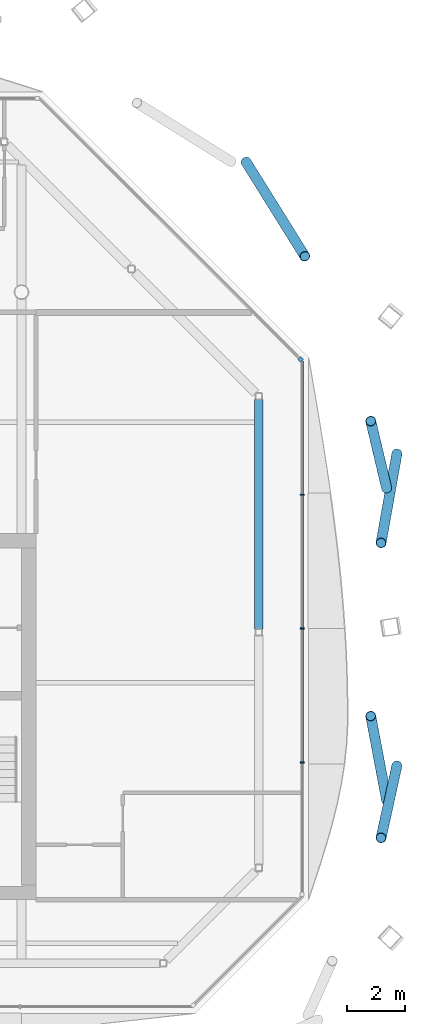
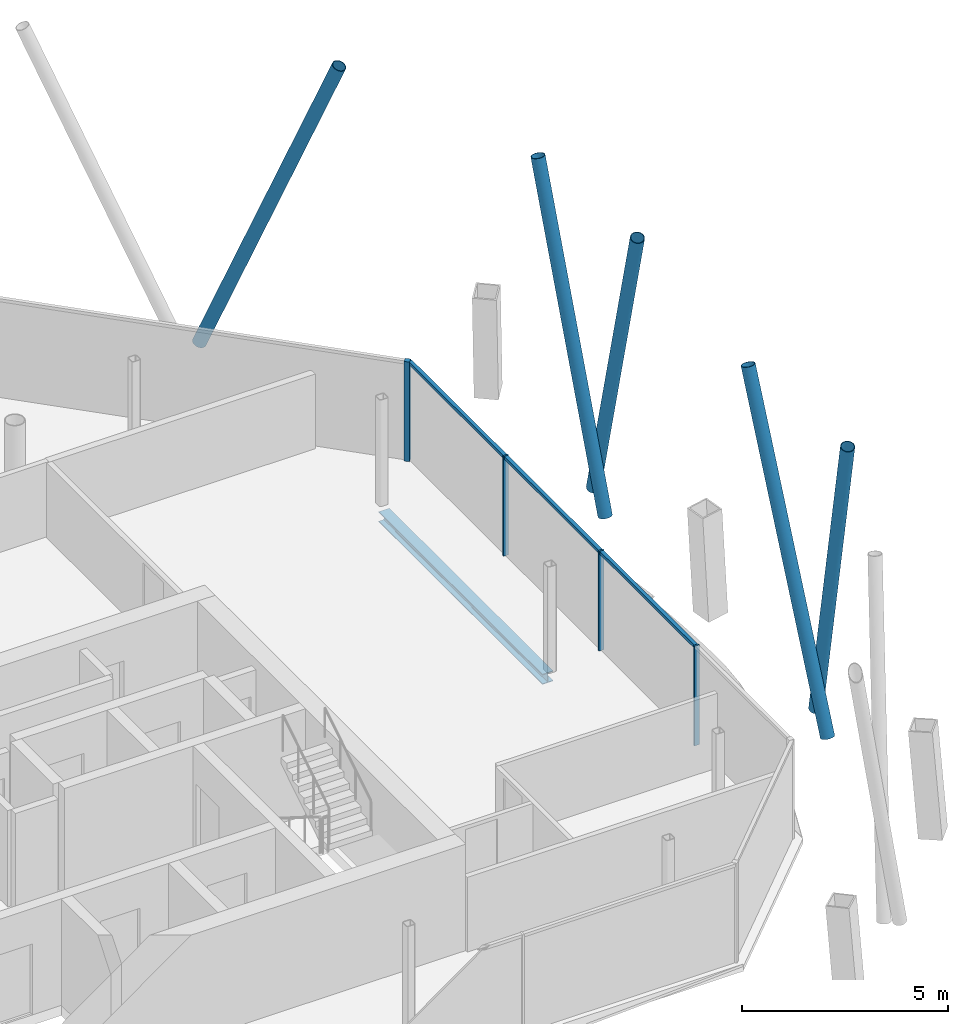
# One storey, part 7 of 13: 12 members, 1 beam, 2 elements without a shape of their own.
"""IFC4 building model written with IfcOpenShell, lengths in metres."""

from ifc_helpers import new_model, si_unit, direction, frame, origin, origin_2d, place, context, subcontext, project, spatial, rectangle, hollow_circle, i_section, extrude, material, material_profile, profile_set, type_object, element, aggregate, save


model = new_model("IFC4")

# Units and contexts
model_context = context("Model", 3, precision=1e-05, world=origin(), true_north=direction((0.0, 1.0)))
body_context = subcontext(model_context, "Body", "Model", "MODEL_VIEW")
ifc_project = project(units=[si_unit("LENGTHUNIT", "METRE"), si_unit("AREAUNIT", "SQUARE_METRE"), si_unit("VOLUMEUNIT", "CUBIC_METRE"), si_unit("PLANEANGLEUNIT", "RADIAN"), si_unit("MASSUNIT", "GRAM", prefix="KILO")], contexts=[model_context])

# Site, building, storey
site_placement = place(None, origin())
site = spatial("IfcSite", under=ifc_project, at=site_placement, CompositionType="ELEMENT")
building_placement = place(site_placement, origin())
building = spatial("IfcBuilding", under=site, at=building_placement, Name="Tskaro Facet Tower", CompositionType="ELEMENT")
storey_placement = place(building_placement, frame((0.0, 0.0, 278.39990234375)))
storey = spatial("IfcBuildingStorey", under=building, at=storey_placement, Name="L74", CompositionType="ELEMENT", Elevation=278.39990234375)

# Members
ifc_material_1 = material(Name="Steel S355J2H", Category="steel")
ifc_material_profile_1 = material_profile(ifc_material_1, hollow_circle(Radius=0.177734375, WallThickness=0.01611328125, at=origin_2d()), Name="CHS 355.6x16")
ifc_profile_set_1 = profile_set([ifc_material_profile_1], Name="Steel S355J2H")
member_type_1 = type_object("IfcMemberType", Name="CHS 355.6x16 brace", PredefinedType="BRACE", material=ifc_profile_set_1)
member_1_placement = place(storey_placement, frame((21.61962890625, -8.552490234375, 0.0), z_axis=(-0.055310331378, 0.29302392678, 0.954503926434), x_axis=(-0.982647721841, -0.185481683084, 0.0)))
element("IfcMember", 1, at=member_1_placement, inside=storey, type_object=member_type_1, Name="CHS 355.6x16 XB04A/6", PredefinedType="BRACE", context=body_context, shape_type="SweptSolid", body=[
    extrude(hollow_circle(Radius=0.177734375, WallThickness=0.01611328125, at=origin_2d()), origin(), (0.0, 0.0, 1.0), 9.900634765625),
])
member_2_placement = place(storey_placement, frame((21.975341796875, -7.373046875, 0.0), z_axis=(-0.055970626477, -0.254436880879, 0.965468364381), x_axis=(0.976648886415, -0.2148416921, 0.0)))
element("IfcMember", 2, at=member_2_placement, inside=storey, type_object=member_type_1, Name="CHS 355.6x16 XB04B/6", PredefinedType="BRACE", context=body_context, shape_type="SweptSolid", body=[
    extrude(hollow_circle(Radius=0.177734375, WallThickness=0.01611328125, at=origin_2d()), origin(), (0.0, 0.0, 1.0), 9.7880859375),
])
member_3_placement = place(storey_placement, frame((21.61962890625, 2.23095703125, 0.0), z_axis=(-0.056198361949, 0.237220727122, 0.96982888735), x_axis=(-0.97306694205, -0.23052272402, 0.0)))
element("IfcMember", 3, at=member_3_placement, inside=storey, type_object=member_type_1, Name="CHS 355.6x16 XB05A/6", PredefinedType="BRACE", context=body_context, shape_type="SweptSolid", body=[
    extrude(hollow_circle(Radius=0.177734375, WallThickness=0.01611328125, at=origin_2d()), origin(), (0.0, 0.0, 1.0), 9.744140625),
])
member_4_placement = place(storey_placement, frame((21.975341796875, 3.410888671875, 0.0), z_axis=(-0.055034832811, -0.309436045264, 0.949326340659), x_axis=(0.984549356223, -0.175107296137, 0.0)))
element("IfcMember", 4, at=member_4_placement, inside=storey, type_object=member_type_1, Name="CHS 355.6x16 XB05B/6", PredefinedType="BRACE", context=body_context, shape_type="SweptSolid", body=[
    extrude(hollow_circle(Radius=0.177734375, WallThickness=0.01611328125, at=origin_2d()), origin(), (0.0, 0.0, 1.0), 9.95458984375),
])
member_5_placement = place(storey_placement, frame((16.7626953125, 13.499267578125, 0.0), z_axis=(0.199239620031, -0.319549238036, 0.926386451909), x_axis=(0.848569080669, 0.529084601301, 0.0)))
element("IfcMember", 5, at=member_5_placement, inside=storey, type_object=member_type_1, Name="CHS 355.6x16 XB06B/6", PredefinedType="BRACE", context=body_context, shape_type="SweptSolid", body=[
    extrude(hollow_circle(Radius=0.177734375, WallThickness=0.01611328125, at=origin_2d()), origin(), (0.0, 0.0, 1.0), 10.201171875),
])

# Curtain wall, member
ifc_material_2 = material(Name="Bronze anodised aluminium 6063-T6", Category="aluminium")
curtain_wall_type = type_object("IfcCurtainWallType", Name="Bronze residence curtain wall (FW3)", PredefinedType="NOTDEFINED", material=ifc_material_2)
curtain_wall_1_placement = place(storey_placement, origin())
curtain_wall_1 = element("IfcCurtainWall", 6, at=curtain_wall_1_placement, inside=storey, type_object=curtain_wall_type, Name="FW3 north-east facet L74", PredefinedType="NOTDEFINED")
ifc_material_profile_2 = material_profile(ifc_material_2, rectangle(XDim=0.139892578125, YDim=0.139892578125, at=origin_2d()), Name="Corner post 140x140")
ifc_profile_set_2 = profile_set([ifc_material_profile_2], Name="Bronze anodised aluminium 6063-T6")
member_type_2 = type_object("IfcMemberType", Name="FW3 bronze corner post 140x140", PredefinedType="MULLION", material=ifc_profile_set_2)
member_6_placement = place(storey_placement, frame((18.6484375, 6.675537109375, 0.0), z_axis=(0.0, 0.0, 1.0), x_axis=(-0.707106781187, 0.707106781187, 0.0)))
member_6 = element("IfcMember", 7, at=member_6_placement, type_object=member_type_2, Name="FW3 north-east corner post", PredefinedType="MULLION", context=body_context, shape_type="SweptSolid", body=[
    extrude(rectangle(XDim=0.139892578125, YDim=0.139892578125, at=origin_2d()), origin(), (0.0, 0.0, 1.0), 2.9501953125),
])
aggregate(curtain_wall_1, [member_6])

# Curtain wall, members
curtain_wall_2_placement = place(storey_placement, origin())
curtain_wall_2 = element("IfcCurtainWall", 8, at=curtain_wall_2_placement, inside=storey, type_object=curtain_wall_type, Name="FW3 east facet L74", PredefinedType="NOTDEFINED")
ifc_material_profile_3 = material_profile(ifc_material_2, rectangle(XDim=0.050048828125, YDim=0.139892578125, at=origin_2d()), Name="Mullion 50x140")
ifc_profile_set_3 = profile_set([ifc_material_profile_3], Name="Bronze anodised aluminium 6063-T6")
member_type_3 = type_object("IfcMemberType", Name="FW3 bronze mullion 50x140", PredefinedType="MULLION", material=ifc_profile_set_3)
member_7_placement = place(storey_placement, frame((18.697998046875, -7.2587890625, 0.0), z_axis=(0.0, 0.0, 1.0), x_axis=(0.0, 1.0, 0.0)))
member_7 = element("IfcMember", 9, at=member_7_placement, type_object=member_type_3, Name="FW3 east mullion 1", PredefinedType="MULLION", context=body_context, shape_type="SweptSolid", body=[
    extrude(rectangle(XDim=0.050048828125, YDim=0.139892578125, at=origin_2d()), origin(), (0.0, 0.0, 1.0), 2.9501953125),
])
member_8_placement = place(storey_placement, frame((18.697998046875, -2.630615234375, 0.0), z_axis=(0.0, 0.0, 1.0), x_axis=(0.0, 1.0, 0.0)))
member_8 = element("IfcMember", 10, at=member_8_placement, type_object=member_type_3, Name="FW3 east mullion 2", PredefinedType="MULLION", context=body_context, shape_type="SweptSolid", body=[
    extrude(rectangle(XDim=0.050048828125, YDim=0.139892578125, at=origin_2d()), origin(), (0.0, 0.0, 1.0), 2.9501953125),
])
member_9_placement = place(storey_placement, frame((18.697998046875, 1.997802734375, 0.0), z_axis=(0.0, 0.0, 1.0), x_axis=(0.0, 1.0, 0.0)))
member_9 = element("IfcMember", 11, at=member_9_placement, type_object=member_type_3, Name="FW3 east mullion 3", PredefinedType="MULLION", context=body_context, shape_type="SweptSolid", body=[
    extrude(rectangle(XDim=0.050048828125, YDim=0.139892578125, at=origin_2d()), origin(), (0.0, 0.0, 1.0), 2.9501953125),
])
ifc_material_profile_4 = material_profile(ifc_material_2, rectangle(XDim=0.10009765625, YDim=0.090087890625, at=origin_2d()), Name="Transom 100x90")
ifc_profile_set_4 = profile_set([ifc_material_profile_4], Name="Bronze anodised aluminium 6063-T6")
member_type_4 = type_object("IfcMemberType", Name="FW3 bronze transom 100x90", PredefinedType="USERDEFINED", material=ifc_profile_set_4)
member_10_placement = place(storey_placement, frame((18.697998046875, -7.233642578125, 2.905029296875), z_axis=(0.0, 1.0, 0.0), x_axis=(-1.0, 0.0, 0.0)))
member_10 = element("IfcMember", 12, at=member_10_placement, type_object=member_type_4, Name="FW3 east transom 2.1", ObjectType="TRANSOM", PredefinedType="USERDEFINED", context=body_context, shape_type="SweptSolid", body=[
    extrude(rectangle(XDim=0.10009765625, YDim=0.090087890625, at=origin_2d()), origin(), (0.0, 0.0, 1.0), 4.578125),
])
member_11_placement = place(storey_placement, frame((18.697998046875, -2.60546875, 2.905029296875), z_axis=(0.0, 1.0, 0.0), x_axis=(-1.0, 0.0, 0.0)))
member_11 = element("IfcMember", 13, at=member_11_placement, type_object=member_type_4, Name="FW3 east transom 3.1", ObjectType="TRANSOM", PredefinedType="USERDEFINED", context=body_context, shape_type="SweptSolid", body=[
    extrude(rectangle(XDim=0.10009765625, YDim=0.090087890625, at=origin_2d()), origin(), (0.0, 0.0, 1.0), 4.578125),
])
member_12_placement = place(storey_placement, frame((18.697998046875, 2.022705078125, 2.905029296875), z_axis=(0.0, 1.0, 0.0), x_axis=(-1.0, 0.0, 0.0)))
member_12 = element("IfcMember", 14, at=member_12_placement, type_object=member_type_4, Name="FW3 east transom 4.1", ObjectType="TRANSOM", PredefinedType="USERDEFINED", context=body_context, shape_type="SweptSolid", body=[
    extrude(rectangle(XDim=0.10009765625, YDim=0.090087890625, at=origin_2d()), origin(), (0.0, 0.0, 1.0), 4.603271484375),
])
aggregate(curtain_wall_2, [member_7, member_8, member_9, member_10, member_11, member_12])

# Beam
ifc_material_3 = material(Name="Steel S355J2", Category="steel")
ifc_material_profile_5 = material_profile(ifc_material_3, i_section(OverallWidth=0.300048828125, OverallDepth=0.300048828125, WebThickness=0.010986328125, FlangeThickness=0.01904296875, FilletRadius=0.027099609375, at=origin_2d()), Name="HE 300 B")
ifc_profile_set_5 = profile_set([ifc_material_profile_5], Name="Steel S355J2")
beam_type = type_object("IfcBeamType", Name="HE 300 B ring beam", PredefinedType="BEAM", material=ifc_profile_set_5)
beam_placement = place(storey_placement, frame((17.199951171875, -2.64501953125, -0.289794921875), z_axis=(0.0, 1.0, 0.0), x_axis=(-1.0, 0.0, 0.0)))
element("IfcBeam", 15, at=beam_placement, inside=storey, type_object=beam_type, Name="HE 300 B EB6-6", PredefinedType="BEAM", context=body_context, shape_type="SweptSolid", body=[
    extrude(i_section(OverallWidth=0.300048828125, OverallDepth=0.300048828125, WebThickness=0.010986328125, FlangeThickness=0.01904296875, FilletRadius=0.027099609375, at=origin_2d()), origin(), (0.0, 0.0, 1.0), 7.943115234375),
])

save(model, "model.ifc")
